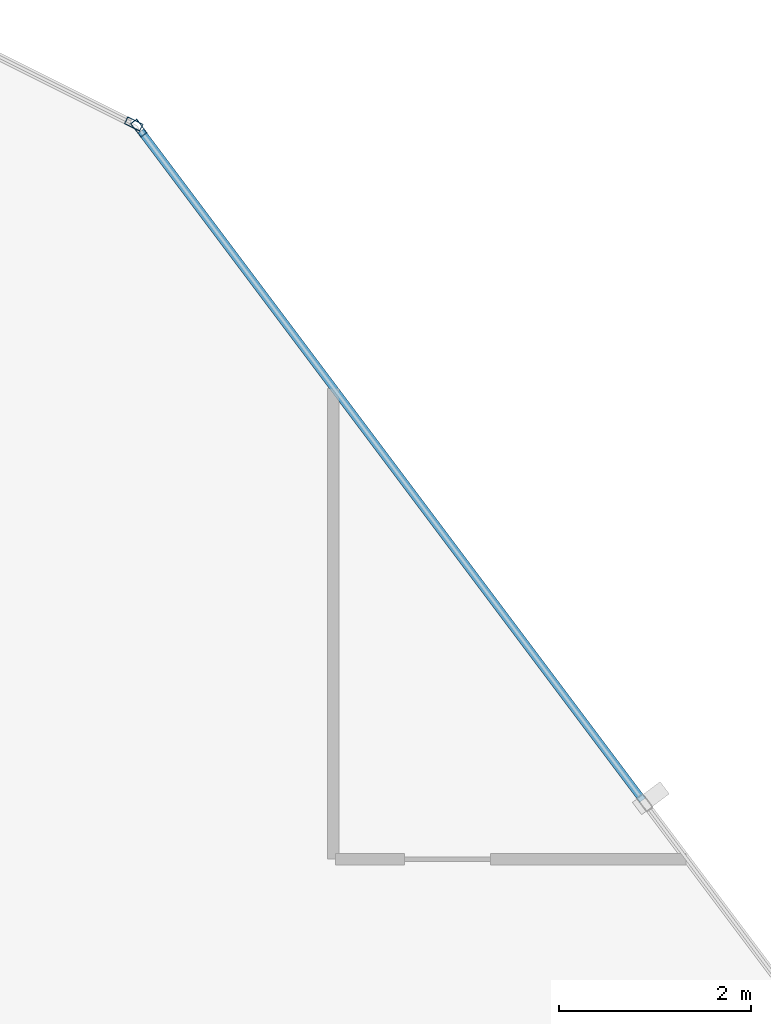
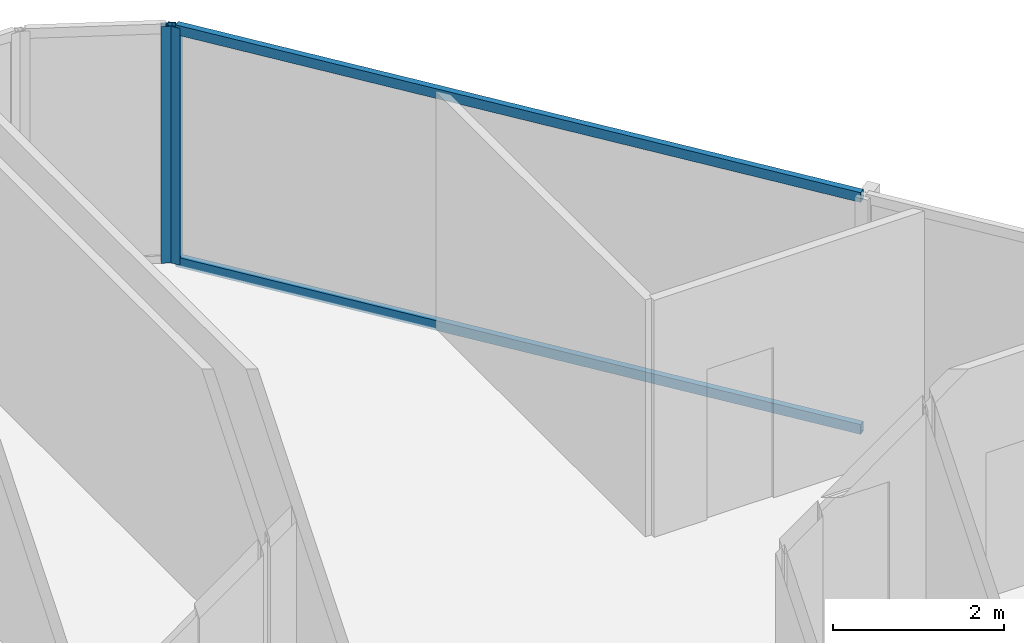
# One storey, part 21 of 30: 4 members, 2 elements without a shape of their own.
"""IFC4 building model written with IfcOpenShell, lengths in metres."""

from ifc_helpers import new_model, si_unit, direction, frame, origin, origin_2d, place, context, subcontext, project, spatial, hollow_rectangle, extrude, material, layer, layer_set, material_profile, profile_set, type_object, element, aggregate, save


model = new_model("IFC4")

# Units and contexts
model_context = context("Model", 3, precision=1e-05, world=origin(), true_north=direction((0.0, 1.0)))
body_context = subcontext(model_context, "Body", "Model", "MODEL_VIEW")
ifc_project = project(units=[si_unit("LENGTHUNIT", "METRE"), si_unit("AREAUNIT", "SQUARE_METRE"), si_unit("VOLUMEUNIT", "CUBIC_METRE"), si_unit("PLANEANGLEUNIT", "RADIAN"), si_unit("MASSUNIT", "GRAM", prefix="KILO")], contexts=[model_context])

# Site, building, storey
site_placement = place(None, origin())
site = spatial("IfcSite", under=ifc_project, at=site_placement, CompositionType="ELEMENT")
building_placement = place(site_placement, origin())
building = spatial("IfcBuilding", under=site, at=building_placement, Name="Keshet Zoharim Tower", CompositionType="ELEMENT")
storey_placement = place(building_placement, frame((0.0, 0.0, 109.39990234375)))
storey = spatial("IfcBuildingStorey", under=building, at=storey_placement, Name="L26", CompositionType="ELEMENT", Elevation=109.39990234375)

# Curtain wall, member
ifc_material = material(Name="Aluminium 6063-T6", Category="aluminium")
ifc_layer = layer(ifc_material, 0.159912109375)
ifc_layer_set = layer_set([ifc_layer], Name="Aluminium 6063-T6")
curtain_wall_type = type_object("IfcCurtainWallType", Name="CW-SYS-03", PredefinedType="NOTDEFINED", material=ifc_layer_set)
curtain_wall_1_placement = place(storey_placement, origin())
curtain_wall_1 = element("IfcCurtainWall", 1, at=curtain_wall_1_placement, inside=storey, type_object=curtain_wall_type, Name="L26 Unitised Curtain Wall 14", PredefinedType="NOTDEFINED")
ifc_material_profile_1 = material_profile(ifc_material, hollow_rectangle(XDim=0.080078125, YDim=0.179931640625, WallThickness=0.00439453125, at=origin_2d()), Name="MUL-80x180")
ifc_profile_set_1 = profile_set([ifc_material_profile_1], Name="Aluminium 6063-T6")
member_type_1 = type_object("IfcMemberType", Name="CWM-M18", PredefinedType="MULLION", material=ifc_profile_set_1)
member_1_placement = place(storey_placement, frame((51.568603515625, 53.11572265625, 0.0), z_axis=(0.0, 0.0, 1.0), x_axis=(0.447213595499, 0.894427191001, 0.0)))
member_1 = element("IfcMember", 2, at=member_1_placement, type_object=member_type_1, Name="CW-03 mullion 2", PredefinedType="MULLION", context=body_context, shape_type="SweptSolid", body=[
    extrude(hollow_rectangle(XDim=0.080078125, YDim=0.179931640625, WallThickness=0.00439453125, at=origin_2d()), origin(), (0.0, 0.0, 1.0), 3.385009765625),
])
aggregate(curtain_wall_1, [member_1])

# Curtain wall, members
curtain_wall_2_placement = place(storey_placement, origin())
curtain_wall_2 = element("IfcCurtainWall", 3, at=curtain_wall_2_placement, inside=storey, type_object=curtain_wall_type, Name="L26 Unitised Curtain Wall 15", PredefinedType="NOTDEFINED")
member_2_placement = place(storey_placement, frame((51.62109375, 53.072021484375, 0.0), z_axis=(0.0, 0.0, 1.0), x_axis=(0.799999999998, 0.600000000002, 0.0)))
member_2 = element("IfcMember", 4, at=member_2_placement, type_object=member_type_1, Name="CW-03 mullion 1", PredefinedType="MULLION", context=body_context, shape_type="SweptSolid", body=[
    extrude(hollow_rectangle(XDim=0.080078125, YDim=0.179931640625, WallThickness=0.00439453125, at=origin_2d()), origin(), (0.0, 0.0, 1.0), 3.385009765625),
])
ifc_material_profile_2 = material_profile(ifc_material, hollow_rectangle(XDim=0.080078125, YDim=0.139892578125, WallThickness=0.00390625, at=origin_2d()), Name="TRN-80x140")
ifc_profile_set_2 = profile_set([ifc_material_profile_2], Name="Aluminium 6063-T6")
member_type_2 = type_object("IfcMemberType", Name="CWT-T14", PredefinedType="USERDEFINED", material=ifc_profile_set_2)
member_3_placement = place(storey_placement, frame((51.64208984375, 53.0439453125, 0.03515625), z_axis=(0.599991043201, -0.800006717521, 0.0), x_axis=(0.800006717521, 0.599991043201, 0.0)))
member_3 = element("IfcMember", 5, at=member_3_placement, type_object=member_type_2, Name="CW-03 transom 1.1", ObjectType="TRANSOM", PredefinedType="USERDEFINED", context=body_context, shape_type="SweptSolid", body=[
    extrude(hollow_rectangle(XDim=0.080078125, YDim=0.139892578125, WallThickness=0.00390625, at=origin_2d()), origin(), (0.0, 0.0, 1.0), 8.722412109375),
])
member_4_placement = place(storey_placement, frame((51.64208984375, 53.0439453125, 3.35009765625), z_axis=(0.599991043201, -0.800006717521, 0.0), x_axis=(0.800006717521, 0.599991043201, 0.0)))
member_4 = element("IfcMember", 6, at=member_4_placement, type_object=member_type_2, Name="CW-03 transom 1.2", ObjectType="TRANSOM", PredefinedType="USERDEFINED", context=body_context, shape_type="SweptSolid", body=[
    extrude(hollow_rectangle(XDim=0.080078125, YDim=0.139892578125, WallThickness=0.00390625, at=origin_2d()), origin(), (0.0, 0.0, 1.0), 8.722412109375),
])
aggregate(curtain_wall_2, [member_2, member_3, member_4])

save(model, "model.ifc")
